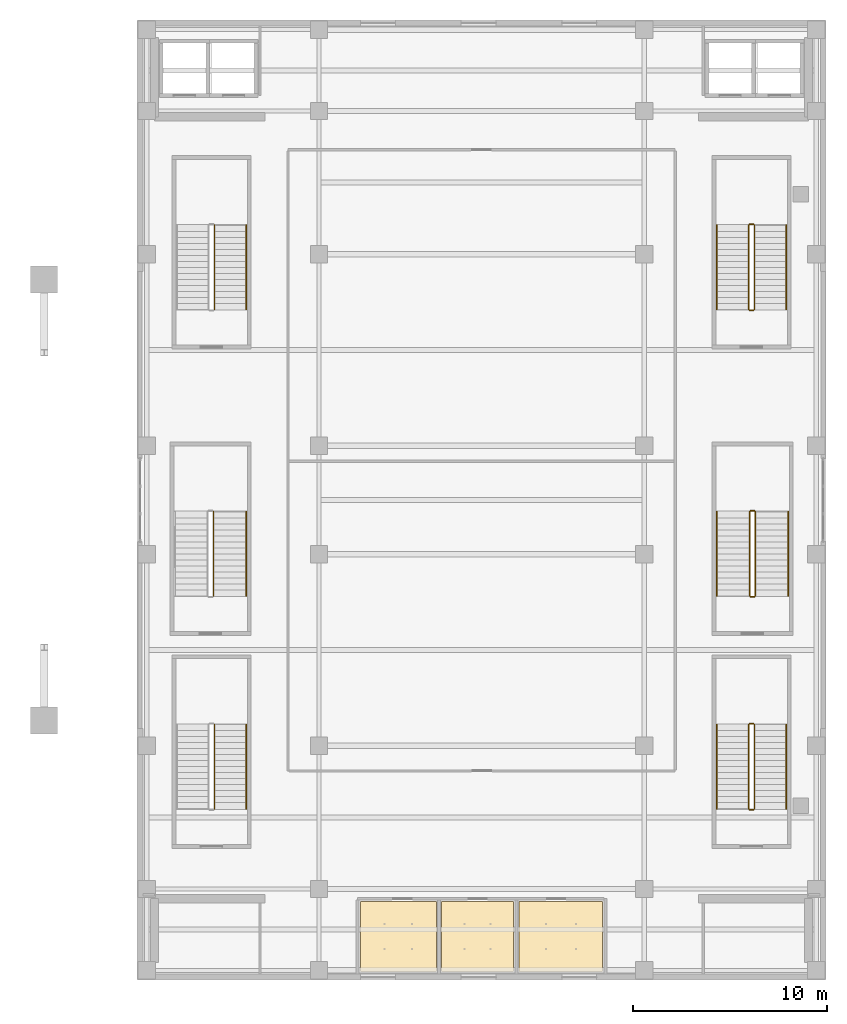
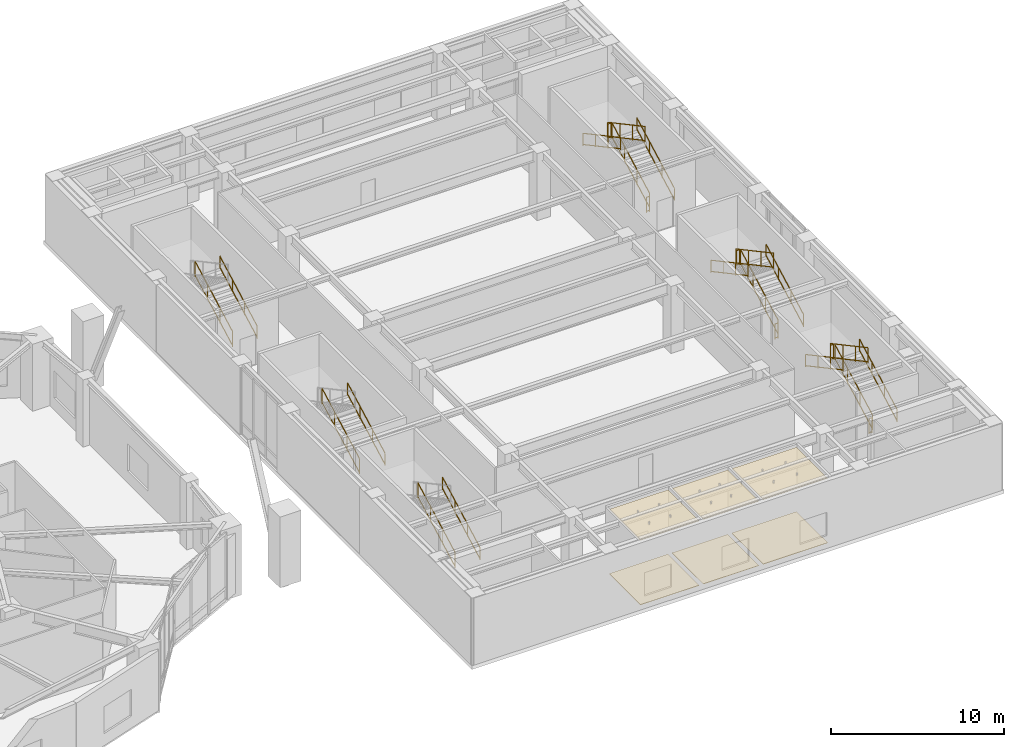
# One storey, part 21 of 21: 24 railings, 6 coverings.
"""IFC4 building model written with IfcOpenShell, lengths in metres."""

from ifc_helpers import new_model, si_unit, direction, frame, origin, origin_2d, place, context, subcontext, project, spatial, polyline, rectangle, outline, extrude, material, layer, layer_set, type_object, element, save


model = new_model("IFC4")

# Units and contexts
model_context = context("Model", 3, precision=1e-05, world=origin(), true_north=direction((0.0, 1.0)))
body_context = subcontext(model_context, "Body", "Model", "MODEL_VIEW")
ifc_project = project(units=[si_unit("LENGTHUNIT", "METRE"), si_unit("AREAUNIT", "SQUARE_METRE"), si_unit("VOLUMEUNIT", "CUBIC_METRE"), si_unit("PLANEANGLEUNIT", "RADIAN"), si_unit("MASSUNIT", "GRAM", prefix="KILO")], contexts=[model_context])

# Site, building, storey
site_placement = place(None, origin())
site = spatial("IfcSite", under=ifc_project, at=site_placement, CompositionType="ELEMENT")
building_placement = place(site_placement, origin())
building = spatial("IfcBuilding", under=site, at=building_placement, Name="Kolvaren Gate Tower and Convention Centre", CompositionType="ELEMENT")
storey_placement = place(building_placement, frame((0.0, 0.0, 5.0)))
storey = spatial("IfcBuildingStorey", under=building, at=storey_placement, Name="L01", CompositionType="ELEMENT", Elevation=5.0)

# Coverings
ifc_material_1 = material(Name="Perforated Mineral-Fibre Acoustic Ceiling Tile 18 mm", Category="gypsum")
ifc_layer_1 = layer(ifc_material_1, 0.01806640625)
ifc_layer_set_1 = layer_set([ifc_layer_1], Name="Perforated Mineral-Fibre Acoustic Ceiling Tile 18 mm")
covering_type_1 = type_object("IfcCoveringType", Name="ARCH-COV-CEIL-18", PredefinedType="CEILING", material=ifc_layer_set_1)
covering_1_placement = place(storey_placement, frame((0.0, 0.0, 4.56005859375)))
element("IfcCovering", 1, at=covering_1_placement, inside=storey, type_object=covering_type_1, Name="Convention L01 Delegate Male Restroom Acoustic Suspended Ceiling", PredefinedType="CEILING", context=body_context, shape_type="SweptSolid", body=[
    extrude(outline(polyline([(73.739990234375, 6.260009765625), (77.659912109375, 6.260009765625), (77.659912109375, 2.639892578125), (73.739990234375, 2.639892578125), (73.739990234375, 6.260009765625)])), origin(), (0.0, 0.0, 1.0), 0.017822265625),
])
covering_2_placement = place(storey_placement, frame((0.0, 0.0, 4.56005859375)))
element("IfcCovering", 2, at=covering_2_placement, inside=storey, type_object=covering_type_1, Name="Convention L01 Accessible Restroom Acoustic Suspended Ceiling", PredefinedType="CEILING", context=body_context, shape_type="SweptSolid", body=[
    extrude(outline(polyline([(77.93994140625, 6.260009765625), (81.659912109375, 6.260009765625), (81.659912109375, 2.639892578125), (77.93994140625, 2.639892578125), (77.93994140625, 6.260009765625)])), origin(), (0.0, 0.0, 1.0), 0.017822265625),
])
covering_3_placement = place(storey_placement, frame((0.0, 0.0, 4.56005859375)))
element("IfcCovering", 3, at=covering_3_placement, inside=storey, type_object=covering_type_1, Name="Convention L01 Delegate Female Restroom Acoustic Suspended Ceiling", PredefinedType="CEILING", context=body_context, shape_type="SweptSolid", body=[
    extrude(outline(polyline([(81.93994140625, 6.260009765625), (86.260009765625, 6.260009765625), (86.260009765625, 2.639892578125), (81.93994140625, 2.639892578125), (81.93994140625, 6.260009765625)])), origin(), (0.0, 0.0, 1.0), 0.017822265625),
])
ifc_material_2 = material(Name="Honed Sabana Limestone Terrazzo Flooring 30 mm", Category="masonry")
ifc_layer_2 = layer(ifc_material_2, 0.030029296875)
ifc_layer_set_2 = layer_set([ifc_layer_2], Name="Honed Sabana Limestone Terrazzo Flooring 30 mm")
covering_type_2 = type_object("IfcCoveringType", Name="ARCH-COV-FLR-30", PredefinedType="FLOORING", material=ifc_layer_set_2)
covering_4_placement = place(storey_placement, origin())
element("IfcCovering", 4, at=covering_4_placement, inside=storey, type_object=covering_type_2, Name="Convention L01 Delegate Male Restroom Interior Finish Flooring", PredefinedType="FLOORING", context=body_context, shape_type="SweptSolid", body=[
    extrude(outline(polyline([(73.739990234375, 6.260009765625), (77.659912109375, 6.260009765625), (77.659912109375, 2.639892578125), (73.739990234375, 2.639892578125), (73.739990234375, 6.260009765625)])), origin(), (0.0, 0.0, 1.0), 0.030029296875),
])
covering_5_placement = place(storey_placement, origin())
element("IfcCovering", 5, at=covering_5_placement, inside=storey, type_object=covering_type_2, Name="Convention L01 Accessible Restroom Interior Finish Flooring", PredefinedType="FLOORING", context=body_context, shape_type="SweptSolid", body=[
    extrude(outline(polyline([(77.93994140625, 6.260009765625), (81.659912109375, 6.260009765625), (81.659912109375, 2.639892578125), (77.93994140625, 2.639892578125), (77.93994140625, 6.260009765625)])), origin(), (0.0, 0.0, 1.0), 0.030029296875),
])
covering_6_placement = place(storey_placement, origin())
element("IfcCovering", 6, at=covering_6_placement, inside=storey, type_object=covering_type_2, Name="Convention L01 Delegate Female Restroom Interior Finish Flooring", PredefinedType="FLOORING", context=body_context, shape_type="SweptSolid", body=[
    extrude(outline(polyline([(81.93994140625, 6.260009765625), (86.260009765625, 6.260009765625), (86.260009765625, 2.639892578125), (81.93994140625, 2.639892578125), (81.93994140625, 6.260009765625)])), origin(), (0.0, 0.0, 1.0), 0.030029296875),
])

# Railings
ifc_material_3 = material(Name="Brushed Stainless Steel Grade 316L", Category="steel")
railing_type_1 = type_object("IfcRailingType", Name="ARCH-RL-GUARD-1150", PredefinedType="GUARDRAIL", material=ifc_material_3)
for number, where, name in (
    (7, (66.199951171875, 36.85009765625, 0.166748046875), "L01 ST-C1 stair guard 1"),
    (8, (66.199951171875, 11.050048828125, 0.166748046875), "L01 ST-C2 stair guard 1"),
    (9, (94.10009765625, 36.85009765625, 0.166748046875), "L01 ST-C3 stair guard 1"),
):
    element("IfcRailing", number, at=place(storey_placement, frame(where)), inside=storey, type_object=railing_type_1, Name=name, PredefinedType="GUARDRAIL", context=body_context, shape_type="SweptSolid", body=[
        extrude(rectangle(XDim=0.048095703125, YDim=0.048095703125, at=origin_2d()), frame((0.0, 0.0, 1.076171875), z_axis=(0.0, 0.8807748016, 0.47353537235), x_axis=(-1.0, 0.0, 0.0)), (0.0, 0.0, 1.0), 4.92724609375),
        extrude(rectangle(XDim=0.048095703125, YDim=0.048095703125, at=origin_2d()), frame((0.0, 0.0, 0.083984375), z_axis=(0.0, 0.8807748016, 0.47353537235), x_axis=(-1.0, 0.0, 0.0)), (0.0, 0.0, 1.0), 4.92724609375),
        extrude(rectangle(XDim=0.0419921875, YDim=0.0419921875, at=origin_2d()), origin(), (0.0, 0.0, 1.0), 1.050048828125),
        extrude(rectangle(XDim=0.0419921875, YDim=0.0419921875, at=origin_2d()), frame((0.0, 4.33984375, 2.333251953125)), (0.0, 0.0, 1.0), 1.050048828125),
        extrude(rectangle(XDim=0.0419921875, YDim=0.0419921875, at=origin_2d()), frame((0.0, 1.446533203125, 0.77783203125)), (0.0, 0.0, 1.0), 1.050048828125),
        extrude(rectangle(XDim=0.0419921875, YDim=0.0419921875, at=origin_2d()), frame((0.0, 2.893310546875, 1.555419921875)), (0.0, 0.0, 1.0), 1.050048828125),
    ])
railing_1_placement = place(storey_placement, frame((94.050048828125, 41.239990234375, 2.5)))
element("IfcRailing", 10, at=railing_1_placement, inside=storey, type_object=railing_type_1, Name="L01 ST-C3 stair guard 2", PredefinedType="GUARDRAIL", context=body_context, shape_type="SweptSolid", body=[
    extrude(rectangle(XDim=0.048095703125, YDim=0.048095703125, at=origin_2d()), frame((0.0, 0.0, 1.076171875), z_axis=(-1.0, 0.0, 0.0), x_axis=(0.0, -1.0, 0.0)), (0.0, 0.0, 1.0), 0.199951171875),
    extrude(rectangle(XDim=0.048095703125, YDim=0.048095703125, at=origin_2d()), frame((0.0, 0.0, 0.083984375), z_axis=(-1.0, 0.0, 0.0), x_axis=(0.0, -1.0, 0.0)), (0.0, 0.0, 1.0), 0.199951171875),
    extrude(rectangle(XDim=0.0419921875, YDim=0.0419921875, at=origin_2d()), origin(), (0.0, 0.0, 1.0), 1.050048828125),
    extrude(rectangle(XDim=0.0419921875, YDim=0.0419921875, at=origin_2d()), frame((-0.199951171875, 0.0, 0.0)), (0.0, 0.0, 1.0), 1.050048828125),
])
railing_2_placement = place(storey_placement, frame((93.800048828125, 41.18994140625, 2.666748046875)))
element("IfcRailing", 11, at=railing_2_placement, inside=storey, type_object=railing_type_1, Name="L01 ST-C3 stair guard 3", PredefinedType="GUARDRAIL", context=body_context, shape_type="SweptSolid", body=[
    extrude(rectangle(XDim=0.048095703125, YDim=0.048095703125, at=origin_2d()), frame((0.0, 0.0, 1.076171875), z_axis=(0.0, -0.8807748016, 0.47353537235), x_axis=(1.0, 0.0, 0.0)), (0.0, 0.0, 1.0), 4.92724609375),
    extrude(rectangle(XDim=0.048095703125, YDim=0.048095703125, at=origin_2d()), frame((0.0, 0.0, 0.083984375), z_axis=(0.0, -0.8807748016, 0.47353537235), x_axis=(1.0, 0.0, 0.0)), (0.0, 0.0, 1.0), 4.92724609375),
    extrude(rectangle(XDim=0.0419921875, YDim=0.0419921875, at=origin_2d()), origin(), (0.0, 0.0, 1.0), 1.050048828125),
    extrude(rectangle(XDim=0.0419921875, YDim=0.0419921875, at=origin_2d()), frame((0.0, -4.33984375, 2.333251953125)), (0.0, 0.0, 1.0), 1.050048828125),
    extrude(rectangle(XDim=0.0419921875, YDim=0.0419921875, at=origin_2d()), frame((0.0, -1.446533203125, 0.77783203125)), (0.0, 0.0, 1.0), 1.050048828125),
    extrude(rectangle(XDim=0.0419921875, YDim=0.0419921875, at=origin_2d()), frame((0.0, -2.893310546875, 1.555419921875)), (0.0, 0.0, 1.0), 1.050048828125),
])
railing_3_placement = place(storey_placement, frame((94.050048828125, 36.800048828125, 0.0)))
element("IfcRailing", 12, at=railing_3_placement, inside=storey, type_object=railing_type_1, Name="L01 ST-C3 stair guard 4", PredefinedType="GUARDRAIL", context=body_context, shape_type="SweptSolid", body=[
    extrude(rectangle(XDim=0.048095703125, YDim=0.048095703125, at=origin_2d()), frame((0.0, 0.0, 1.076171875), z_axis=(-1.0, 0.0, 0.0), x_axis=(0.0, -1.0, 0.0)), (0.0, 0.0, 1.0), 0.199951171875),
    extrude(rectangle(XDim=0.048095703125, YDim=0.048095703125, at=origin_2d()), frame((0.0, 0.0, 0.083984375), z_axis=(-1.0, 0.0, 0.0), x_axis=(0.0, -1.0, 0.0)), (0.0, 0.0, 1.0), 0.199951171875),
    extrude(rectangle(XDim=0.0419921875, YDim=0.0419921875, at=origin_2d()), origin(), (0.0, 0.0, 1.0), 1.050048828125),
    extrude(rectangle(XDim=0.0419921875, YDim=0.0419921875, at=origin_2d()), frame((-0.199951171875, 0.0, 0.0)), (0.0, 0.0, 1.0), 1.050048828125),
])
railing_4_placement = place(storey_placement, frame((94.10009765625, 11.050048828125, 0.166748046875)))
element("IfcRailing", 13, at=railing_4_placement, inside=storey, type_object=railing_type_1, Name="L01 ST-C4 stair guard 1", PredefinedType="GUARDRAIL", context=body_context, shape_type="SweptSolid", body=[
    extrude(rectangle(XDim=0.048095703125, YDim=0.048095703125, at=origin_2d()), frame((0.0, 0.0, 1.076171875), z_axis=(0.0, 0.8807748016, 0.47353537235), x_axis=(-1.0, 0.0, 0.0)), (0.0, 0.0, 1.0), 4.92724609375),
    extrude(rectangle(XDim=0.048095703125, YDim=0.048095703125, at=origin_2d()), frame((0.0, 0.0, 0.083984375), z_axis=(0.0, 0.8807748016, 0.47353537235), x_axis=(-1.0, 0.0, 0.0)), (0.0, 0.0, 1.0), 4.92724609375),
    extrude(rectangle(XDim=0.0419921875, YDim=0.0419921875, at=origin_2d()), origin(), (0.0, 0.0, 1.0), 1.050048828125),
    extrude(rectangle(XDim=0.0419921875, YDim=0.0419921875, at=origin_2d()), frame((0.0, 4.33984375, 2.333251953125)), (0.0, 0.0, 1.0), 1.050048828125),
    extrude(rectangle(XDim=0.0419921875, YDim=0.0419921875, at=origin_2d()), frame((0.0, 1.446533203125, 0.77783203125)), (0.0, 0.0, 1.0), 1.050048828125),
    extrude(rectangle(XDim=0.0419921875, YDim=0.0419921875, at=origin_2d()), frame((0.0, 2.893310546875, 1.555419921875)), (0.0, 0.0, 1.0), 1.050048828125),
])
railing_5_placement = place(storey_placement, frame((94.050048828125, 15.43994140625, 2.5)))
element("IfcRailing", 14, at=railing_5_placement, inside=storey, type_object=railing_type_1, Name="L01 ST-C4 stair guard 2", PredefinedType="GUARDRAIL", context=body_context, shape_type="SweptSolid", body=[
    extrude(rectangle(XDim=0.048095703125, YDim=0.048095703125, at=origin_2d()), frame((0.0, 0.0, 1.076171875), z_axis=(-1.0, 0.0, 0.0), x_axis=(0.0, -1.0, 0.0)), (0.0, 0.0, 1.0), 0.199951171875),
    extrude(rectangle(XDim=0.048095703125, YDim=0.048095703125, at=origin_2d()), frame((0.0, 0.0, 0.083984375), z_axis=(-1.0, 0.0, 0.0), x_axis=(0.0, -1.0, 0.0)), (0.0, 0.0, 1.0), 0.199951171875),
    extrude(rectangle(XDim=0.0419921875, YDim=0.0419921875, at=origin_2d()), origin(), (0.0, 0.0, 1.0), 1.050048828125),
    extrude(rectangle(XDim=0.0419921875, YDim=0.0419921875, at=origin_2d()), frame((-0.199951171875, 0.0, 0.0)), (0.0, 0.0, 1.0), 1.050048828125),
])
railing_6_placement = place(storey_placement, frame((93.800048828125, 15.389892578125, 2.666748046875)))
element("IfcRailing", 15, at=railing_6_placement, inside=storey, type_object=railing_type_1, Name="L01 ST-C4 stair guard 3", PredefinedType="GUARDRAIL", context=body_context, shape_type="SweptSolid", body=[
    extrude(rectangle(XDim=0.048095703125, YDim=0.048095703125, at=origin_2d()), frame((0.0, 0.0, 1.076171875), z_axis=(0.0, -0.8807748016, 0.47353537235), x_axis=(1.0, 0.0, 0.0)), (0.0, 0.0, 1.0), 4.92724609375),
    extrude(rectangle(XDim=0.048095703125, YDim=0.048095703125, at=origin_2d()), frame((0.0, 0.0, 0.083984375), z_axis=(0.0, -0.8807748016, 0.47353537235), x_axis=(1.0, 0.0, 0.0)), (0.0, 0.0, 1.0), 4.92724609375),
    extrude(rectangle(XDim=0.0419921875, YDim=0.0419921875, at=origin_2d()), origin(), (0.0, 0.0, 1.0), 1.050048828125),
    extrude(rectangle(XDim=0.0419921875, YDim=0.0419921875, at=origin_2d()), frame((0.0, -4.33984375, 2.333251953125)), (0.0, 0.0, 1.0), 1.050048828125),
    extrude(rectangle(XDim=0.0419921875, YDim=0.0419921875, at=origin_2d()), frame((0.0, -1.446533203125, 0.77783203125)), (0.0, 0.0, 1.0), 1.050048828125),
    extrude(rectangle(XDim=0.0419921875, YDim=0.0419921875, at=origin_2d()), frame((0.0, -2.893310546875, 1.555419921875)), (0.0, 0.0, 1.0), 1.050048828125),
])
railing_7_placement = place(storey_placement, frame((94.050048828125, 11.0, 0.0)))
element("IfcRailing", 16, at=railing_7_placement, inside=storey, type_object=railing_type_1, Name="L01 ST-C4 stair guard 4", PredefinedType="GUARDRAIL", context=body_context, shape_type="SweptSolid", body=[
    extrude(rectangle(XDim=0.048095703125, YDim=0.048095703125, at=origin_2d()), frame((0.0, 0.0, 1.076171875), z_axis=(-1.0, 0.0, 0.0), x_axis=(0.0, -1.0, 0.0)), (0.0, 0.0, 1.0), 0.199951171875),
    extrude(rectangle(XDim=0.048095703125, YDim=0.048095703125, at=origin_2d()), frame((0.0, 0.0, 0.083984375), z_axis=(-1.0, 0.0, 0.0), x_axis=(0.0, -1.0, 0.0)), (0.0, 0.0, 1.0), 0.199951171875),
    extrude(rectangle(XDim=0.0419921875, YDim=0.0419921875, at=origin_2d()), origin(), (0.0, 0.0, 1.0), 1.050048828125),
    extrude(rectangle(XDim=0.0419921875, YDim=0.0419921875, at=origin_2d()), frame((-0.199951171875, 0.0, 0.0)), (0.0, 0.0, 1.0), 1.050048828125),
])
for number, where, name in (
    (17, (66.14990234375, 22.050048828125, 0.166748046875), "L01 ST-C5 stair guard 1"),
    (18, (94.14990234375, 22.050048828125, 0.166748046875), "L01 ST-C6 stair guard 1"),
):
    element("IfcRailing", number, at=place(storey_placement, frame(where)), inside=storey, type_object=railing_type_1, Name=name, PredefinedType="GUARDRAIL", context=body_context, shape_type="SweptSolid", body=[
        extrude(rectangle(XDim=0.048095703125, YDim=0.048095703125, at=origin_2d()), frame((0.0, 0.0, 1.076171875), z_axis=(0.0, 0.8807748016, 0.47353537235), x_axis=(-1.0, 0.0, 0.0)), (0.0, 0.0, 1.0), 4.92724609375),
        extrude(rectangle(XDim=0.048095703125, YDim=0.048095703125, at=origin_2d()), frame((0.0, 0.0, 0.083984375), z_axis=(0.0, 0.8807748016, 0.47353537235), x_axis=(-1.0, 0.0, 0.0)), (0.0, 0.0, 1.0), 4.92724609375),
        extrude(rectangle(XDim=0.0419921875, YDim=0.0419921875, at=origin_2d()), origin(), (0.0, 0.0, 1.0), 1.050048828125),
        extrude(rectangle(XDim=0.0419921875, YDim=0.0419921875, at=origin_2d()), frame((0.0, 4.33984375, 2.333251953125)), (0.0, 0.0, 1.0), 1.050048828125),
        extrude(rectangle(XDim=0.0419921875, YDim=0.0419921875, at=origin_2d()), frame((0.0, 1.446533203125, 0.77783203125)), (0.0, 0.0, 1.0), 1.050048828125),
        extrude(rectangle(XDim=0.0419921875, YDim=0.0419921875, at=origin_2d()), frame((0.0, 2.893310546875, 1.555419921875)), (0.0, 0.0, 1.0), 1.050048828125),
    ])
railing_8_placement = place(storey_placement, frame((94.10009765625, 26.43994140625, 2.5)))
element("IfcRailing", 19, at=railing_8_placement, inside=storey, type_object=railing_type_1, Name="L01 ST-C6 stair guard 2", PredefinedType="GUARDRAIL", context=body_context, shape_type="SweptSolid", body=[
    extrude(rectangle(XDim=0.048095703125, YDim=0.048095703125, at=origin_2d()), frame((0.0, 0.0, 1.076171875), z_axis=(-1.0, 0.0, 0.0), x_axis=(0.0, -1.0, 0.0)), (0.0, 0.0, 1.0), 0.2001953125),
    extrude(rectangle(XDim=0.048095703125, YDim=0.048095703125, at=origin_2d()), frame((0.0, 0.0, 0.083984375), z_axis=(-1.0, 0.0, 0.0), x_axis=(0.0, -1.0, 0.0)), (0.0, 0.0, 1.0), 0.2001953125),
    extrude(rectangle(XDim=0.0419921875, YDim=0.0419921875, at=origin_2d()), origin(), (0.0, 0.0, 1.0), 1.050048828125),
    extrude(rectangle(XDim=0.0419921875, YDim=0.0419921875, at=origin_2d()), frame((-0.2001953125, 0.0, 0.0)), (0.0, 0.0, 1.0), 1.050048828125),
])
railing_9_placement = place(storey_placement, frame((93.85009765625, 26.389892578125, 2.666748046875)))
element("IfcRailing", 20, at=railing_9_placement, inside=storey, type_object=railing_type_1, Name="L01 ST-C6 stair guard 3", PredefinedType="GUARDRAIL", context=body_context, shape_type="SweptSolid", body=[
    extrude(rectangle(XDim=0.048095703125, YDim=0.048095703125, at=origin_2d()), frame((0.0, 0.0, 1.076171875), z_axis=(0.0, -0.8807748016, 0.47353537235), x_axis=(1.0, 0.0, 0.0)), (0.0, 0.0, 1.0), 4.92724609375),
    extrude(rectangle(XDim=0.048095703125, YDim=0.048095703125, at=origin_2d()), frame((0.0, 0.0, 0.083984375), z_axis=(0.0, -0.8807748016, 0.47353537235), x_axis=(1.0, 0.0, 0.0)), (0.0, 0.0, 1.0), 4.92724609375),
    extrude(rectangle(XDim=0.0419921875, YDim=0.0419921875, at=origin_2d()), origin(), (0.0, 0.0, 1.0), 1.050048828125),
    extrude(rectangle(XDim=0.0419921875, YDim=0.0419921875, at=origin_2d()), frame((0.0, -4.33984375, 2.333251953125)), (0.0, 0.0, 1.0), 1.050048828125),
    extrude(rectangle(XDim=0.0419921875, YDim=0.0419921875, at=origin_2d()), frame((0.0, -1.446533203125, 0.77783203125)), (0.0, 0.0, 1.0), 1.050048828125),
    extrude(rectangle(XDim=0.0419921875, YDim=0.0419921875, at=origin_2d()), frame((0.0, -2.893310546875, 1.555419921875)), (0.0, 0.0, 1.0), 1.050048828125),
])
railing_10_placement = place(storey_placement, frame((94.10009765625, 22.0, 0.0)))
element("IfcRailing", 21, at=railing_10_placement, inside=storey, type_object=railing_type_1, Name="L01 ST-C6 stair guard 4", PredefinedType="GUARDRAIL", context=body_context, shape_type="SweptSolid", body=[
    extrude(rectangle(XDim=0.048095703125, YDim=0.048095703125, at=origin_2d()), frame((0.0, 0.0, 1.076171875), z_axis=(-1.0, 0.0, 0.0), x_axis=(0.0, -1.0, 0.0)), (0.0, 0.0, 1.0), 0.2001953125),
    extrude(rectangle(XDim=0.048095703125, YDim=0.048095703125, at=origin_2d()), frame((0.0, 0.0, 0.083984375), z_axis=(-1.0, 0.0, 0.0), x_axis=(0.0, -1.0, 0.0)), (0.0, 0.0, 1.0), 0.2001953125),
    extrude(rectangle(XDim=0.0419921875, YDim=0.0419921875, at=origin_2d()), origin(), (0.0, 0.0, 1.0), 1.050048828125),
    extrude(rectangle(XDim=0.0419921875, YDim=0.0419921875, at=origin_2d()), frame((-0.2001953125, 0.0, 0.0)), (0.0, 0.0, 1.0), 1.050048828125),
])
railing_type_2 = type_object("IfcRailingType", Name="ARCH-RL-HANDRAIL-920", PredefinedType="HANDRAIL", material=ifc_material_3)
for number, where, name in (
    (22, (67.85009765625, 36.85009765625, 0.166748046875), "L01 ST-C1 stair handrail 1"),
    (23, (67.85009765625, 11.050048828125, 0.166748046875), "L01 ST-C2 stair handrail 1"),
    (24, (95.75, 36.85009765625, 0.166748046875), "L01 ST-C3 stair handrail 1"),
):
    element("IfcRailing", number, at=place(storey_placement, frame(where)), inside=storey, type_object=railing_type_2, Name=name, PredefinedType="HANDRAIL", context=body_context, shape_type="SweptSolid", body=[
        extrude(rectangle(XDim=0.048095703125, YDim=0.048095703125, at=origin_2d()), frame((0.0, 0.0, 0.8759765625), z_axis=(0.0, 0.8807748016, 0.47353537235), x_axis=(-1.0, 0.0, 0.0)), (0.0, 0.0, 1.0), 4.92724609375),
        extrude(rectangle(XDim=0.048095703125, YDim=0.048095703125, at=origin_2d()), frame((0.0, 0.0, 0.083984375), z_axis=(0.0, 0.8807748016, 0.47353537235), x_axis=(-1.0, 0.0, 0.0)), (0.0, 0.0, 1.0), 4.92724609375),
        extrude(rectangle(XDim=0.0419921875, YDim=0.0419921875, at=origin_2d()), origin(), (0.0, 0.0, 1.0), 0.849853515625),
        extrude(rectangle(XDim=0.0419921875, YDim=0.0419921875, at=origin_2d()), frame((0.0, 4.33984375, 2.333251953125)), (0.0, 0.0, 1.0), 0.849853515625),
        extrude(rectangle(XDim=0.0419921875, YDim=0.0419921875, at=origin_2d()), frame((0.0, 1.446533203125, 0.77783203125)), (0.0, 0.0, 1.0), 0.849853515625),
        extrude(rectangle(XDim=0.0419921875, YDim=0.0419921875, at=origin_2d()), frame((0.0, 2.893310546875, 1.555419921875)), (0.0, 0.0, 1.0), 0.849853515625),
    ])
railing_11_placement = place(storey_placement, frame((92.14990234375, 41.18994140625, 2.666748046875)))
element("IfcRailing", 25, at=railing_11_placement, inside=storey, type_object=railing_type_2, Name="L01 ST-C3 stair handrail 2", PredefinedType="HANDRAIL", context=body_context, shape_type="SweptSolid", body=[
    extrude(rectangle(XDim=0.048095703125, YDim=0.048095703125, at=origin_2d()), frame((0.0, 0.0, 0.8759765625), z_axis=(0.0, -0.8807748016, 0.47353537235), x_axis=(1.0, 0.0, 0.0)), (0.0, 0.0, 1.0), 4.92724609375),
    extrude(rectangle(XDim=0.048095703125, YDim=0.048095703125, at=origin_2d()), frame((0.0, 0.0, 0.083984375), z_axis=(0.0, -0.8807748016, 0.47353537235), x_axis=(1.0, 0.0, 0.0)), (0.0, 0.0, 1.0), 4.92724609375),
    extrude(rectangle(XDim=0.0419921875, YDim=0.0419921875, at=origin_2d()), origin(), (0.0, 0.0, 1.0), 0.849853515625),
    extrude(rectangle(XDim=0.0419921875, YDim=0.0419921875, at=origin_2d()), frame((0.0, -4.33984375, 2.333251953125)), (0.0, 0.0, 1.0), 0.849853515625),
    extrude(rectangle(XDim=0.0419921875, YDim=0.0419921875, at=origin_2d()), frame((0.0, -1.446533203125, 0.77783203125)), (0.0, 0.0, 1.0), 0.849853515625),
    extrude(rectangle(XDim=0.0419921875, YDim=0.0419921875, at=origin_2d()), frame((0.0, -2.893310546875, 1.555419921875)), (0.0, 0.0, 1.0), 0.849853515625),
])
railing_12_placement = place(storey_placement, frame((95.75, 11.050048828125, 0.166748046875)))
element("IfcRailing", 26, at=railing_12_placement, inside=storey, type_object=railing_type_2, Name="L01 ST-C4 stair handrail 1", PredefinedType="HANDRAIL", context=body_context, shape_type="SweptSolid", body=[
    extrude(rectangle(XDim=0.048095703125, YDim=0.048095703125, at=origin_2d()), frame((0.0, 0.0, 0.8759765625), z_axis=(0.0, 0.8807748016, 0.47353537235), x_axis=(-1.0, 0.0, 0.0)), (0.0, 0.0, 1.0), 4.92724609375),
    extrude(rectangle(XDim=0.048095703125, YDim=0.048095703125, at=origin_2d()), frame((0.0, 0.0, 0.083984375), z_axis=(0.0, 0.8807748016, 0.47353537235), x_axis=(-1.0, 0.0, 0.0)), (0.0, 0.0, 1.0), 4.92724609375),
    extrude(rectangle(XDim=0.0419921875, YDim=0.0419921875, at=origin_2d()), origin(), (0.0, 0.0, 1.0), 0.849853515625),
    extrude(rectangle(XDim=0.0419921875, YDim=0.0419921875, at=origin_2d()), frame((0.0, 4.33984375, 2.333251953125)), (0.0, 0.0, 1.0), 0.849853515625),
    extrude(rectangle(XDim=0.0419921875, YDim=0.0419921875, at=origin_2d()), frame((0.0, 1.446533203125, 0.77783203125)), (0.0, 0.0, 1.0), 0.849853515625),
    extrude(rectangle(XDim=0.0419921875, YDim=0.0419921875, at=origin_2d()), frame((0.0, 2.893310546875, 1.555419921875)), (0.0, 0.0, 1.0), 0.849853515625),
])
railing_13_placement = place(storey_placement, frame((92.14990234375, 15.389892578125, 2.666748046875)))
element("IfcRailing", 27, at=railing_13_placement, inside=storey, type_object=railing_type_2, Name="L01 ST-C4 stair handrail 2", PredefinedType="HANDRAIL", context=body_context, shape_type="SweptSolid", body=[
    extrude(rectangle(XDim=0.048095703125, YDim=0.048095703125, at=origin_2d()), frame((0.0, 0.0, 0.8759765625), z_axis=(0.0, -0.8807748016, 0.47353537235), x_axis=(1.0, 0.0, 0.0)), (0.0, 0.0, 1.0), 4.92724609375),
    extrude(rectangle(XDim=0.048095703125, YDim=0.048095703125, at=origin_2d()), frame((0.0, 0.0, 0.083984375), z_axis=(0.0, -0.8807748016, 0.47353537235), x_axis=(1.0, 0.0, 0.0)), (0.0, 0.0, 1.0), 4.92724609375),
    extrude(rectangle(XDim=0.0419921875, YDim=0.0419921875, at=origin_2d()), origin(), (0.0, 0.0, 1.0), 0.849853515625),
    extrude(rectangle(XDim=0.0419921875, YDim=0.0419921875, at=origin_2d()), frame((0.0, -4.33984375, 2.333251953125)), (0.0, 0.0, 1.0), 0.849853515625),
    extrude(rectangle(XDim=0.0419921875, YDim=0.0419921875, at=origin_2d()), frame((0.0, -1.446533203125, 0.77783203125)), (0.0, 0.0, 1.0), 0.849853515625),
    extrude(rectangle(XDim=0.0419921875, YDim=0.0419921875, at=origin_2d()), frame((0.0, -2.893310546875, 1.555419921875)), (0.0, 0.0, 1.0), 0.849853515625),
])
for number, where, name in (
    (28, (67.85009765625, 22.050048828125, 0.166748046875), "L01 ST-C5 stair handrail 1"),
    (29, (95.85009765625, 22.050048828125, 0.166748046875), "L01 ST-C6 stair handrail 1"),
):
    element("IfcRailing", number, at=place(storey_placement, frame(where)), inside=storey, type_object=railing_type_2, Name=name, PredefinedType="HANDRAIL", context=body_context, shape_type="SweptSolid", body=[
        extrude(rectangle(XDim=0.048095703125, YDim=0.048095703125, at=origin_2d()), frame((0.0, 0.0, 0.8759765625), z_axis=(0.0, 0.8807748016, 0.47353537235), x_axis=(-1.0, 0.0, 0.0)), (0.0, 0.0, 1.0), 4.92724609375),
        extrude(rectangle(XDim=0.048095703125, YDim=0.048095703125, at=origin_2d()), frame((0.0, 0.0, 0.083984375), z_axis=(0.0, 0.8807748016, 0.47353537235), x_axis=(-1.0, 0.0, 0.0)), (0.0, 0.0, 1.0), 4.92724609375),
        extrude(rectangle(XDim=0.0419921875, YDim=0.0419921875, at=origin_2d()), origin(), (0.0, 0.0, 1.0), 0.849853515625),
        extrude(rectangle(XDim=0.0419921875, YDim=0.0419921875, at=origin_2d()), frame((0.0, 4.33984375, 2.333251953125)), (0.0, 0.0, 1.0), 0.849853515625),
        extrude(rectangle(XDim=0.0419921875, YDim=0.0419921875, at=origin_2d()), frame((0.0, 1.446533203125, 0.77783203125)), (0.0, 0.0, 1.0), 0.849853515625),
        extrude(rectangle(XDim=0.0419921875, YDim=0.0419921875, at=origin_2d()), frame((0.0, 2.893310546875, 1.555419921875)), (0.0, 0.0, 1.0), 0.849853515625),
    ])
railing_14_placement = place(storey_placement, frame((92.14990234375, 26.389892578125, 2.666748046875)))
element("IfcRailing", 30, at=railing_14_placement, inside=storey, type_object=railing_type_2, Name="L01 ST-C6 stair handrail 2", PredefinedType="HANDRAIL", context=body_context, shape_type="SweptSolid", body=[
    extrude(rectangle(XDim=0.048095703125, YDim=0.048095703125, at=origin_2d()), frame((0.0, 0.0, 0.8759765625), z_axis=(0.0, -0.8807748016, 0.47353537235), x_axis=(1.0, 0.0, 0.0)), (0.0, 0.0, 1.0), 4.92724609375),
    extrude(rectangle(XDim=0.048095703125, YDim=0.048095703125, at=origin_2d()), frame((0.0, 0.0, 0.083984375), z_axis=(0.0, -0.8807748016, 0.47353537235), x_axis=(1.0, 0.0, 0.0)), (0.0, 0.0, 1.0), 4.92724609375),
    extrude(rectangle(XDim=0.0419921875, YDim=0.0419921875, at=origin_2d()), origin(), (0.0, 0.0, 1.0), 0.849853515625),
    extrude(rectangle(XDim=0.0419921875, YDim=0.0419921875, at=origin_2d()), frame((0.0, -4.33984375, 2.333251953125)), (0.0, 0.0, 1.0), 0.849853515625),
    extrude(rectangle(XDim=0.0419921875, YDim=0.0419921875, at=origin_2d()), frame((0.0, -1.446533203125, 0.77783203125)), (0.0, 0.0, 1.0), 0.849853515625),
    extrude(rectangle(XDim=0.0419921875, YDim=0.0419921875, at=origin_2d()), frame((0.0, -2.893310546875, 1.555419921875)), (0.0, 0.0, 1.0), 0.849853515625),
])

save(model, "model.ifc")
